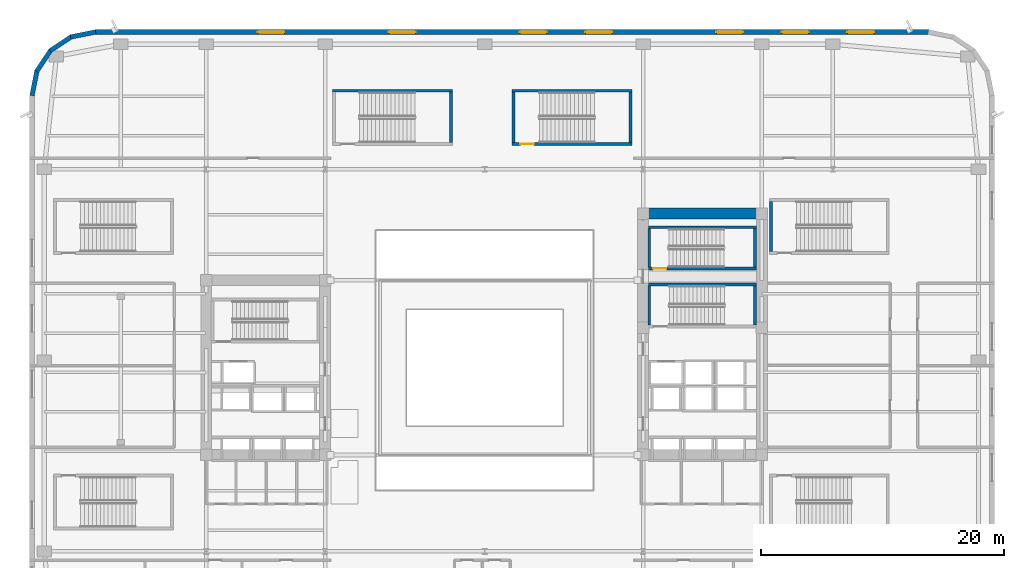
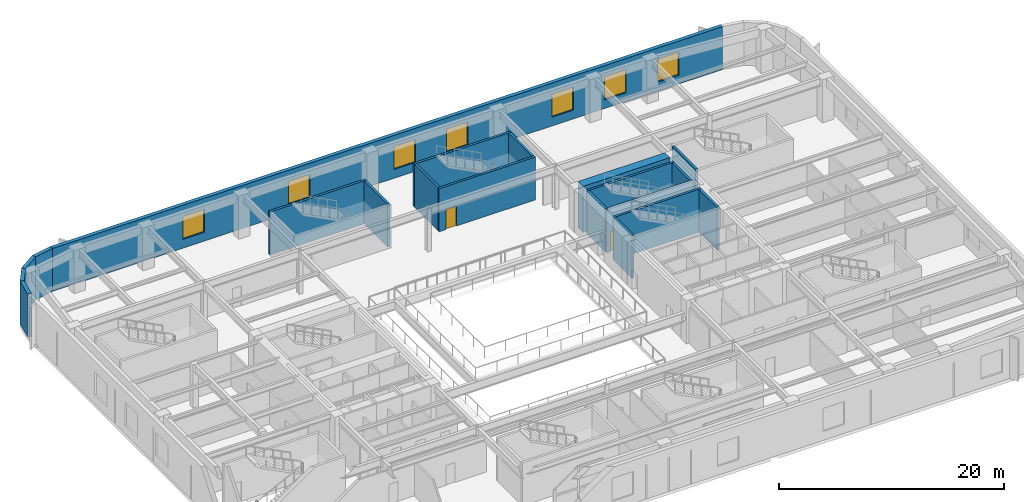
# One storey, part 9 of 22: 20 walls, 7 windows, 2 doors, 9 openings.
"""IFC4 building model written with IfcOpenShell, lengths in metres."""

from ifc_helpers import new_model, si_unit, direction, frame, frame_2d, origin, place, context, subcontext, project, spatial, rectangle, extrude, material, layer, layer_set, type_object, element, fill, save


model = new_model("IFC4")

# Units and contexts
model_context = context("Model", 3, precision=1e-05, world=origin(), true_north=direction((0.0, 1.0)))
body_context = subcontext(model_context, "Body", "Model", "MODEL_VIEW")
ifc_project = project(units=[si_unit("LENGTHUNIT", "METRE"), si_unit("AREAUNIT", "SQUARE_METRE"), si_unit("VOLUMEUNIT", "CUBIC_METRE"), si_unit("PLANEANGLEUNIT", "RADIAN"), si_unit("MASSUNIT", "GRAM", prefix="KILO")], contexts=[model_context])

# Site, building, storey
site_placement = place(None, origin())
site = spatial("IfcSite", under=ifc_project, at=site_placement, CompositionType="ELEMENT")
building_placement = place(site_placement, origin())
building = spatial("IfcBuilding", under=site, at=building_placement, Name="Kolvaren Arena Tower", CompositionType="ELEMENT")
storey_placement = place(building_placement, frame((0.0, 0.0, 13.0)))
storey = spatial("IfcBuildingStorey", under=building, at=storey_placement, Name="L02", CompositionType="ELEMENT", Elevation=13.0)

# Wall
ifc_material_1 = material(Name="Concrete 80 MPa", Category="concrete")
ifc_layer_1 = layer(ifc_material_1, 0.89990234375)
ifc_layer_set_1 = layer_set([ifc_layer_1], Name="Concrete 80 MPa")
wall_type_1 = type_object("IfcWallType", Name="CWALL-900", PredefinedType="SHEAR", material=ifc_layer_set_1)
wall_1_placement = place(storey_placement, frame((51.0, 39.35009765625, -0.35009765625), z_axis=(0.0, 0.0, 1.0), x_axis=(1.0, 0.0, 0.0)))
element("IfcWall", 1, at=wall_1_placement, inside=storey, type_object=wall_type_1, Name="Core Shear Wall EC-NORTH (L02)", PredefinedType="SHEAR", context=body_context, shape_type="SweptSolid", body=[
    extrude(rectangle(XDim=8.89990234375, YDim=0.89990234375, at=frame_2d((4.449951171875, 0.0))), origin(), (0.0, 0.0, 1.0), 5.0),
])

# Wall, openings, windows
ifc_material_2 = material(Name="Precast concrete C50/60", Category="concrete")
ifc_layer_2 = layer(ifc_material_2, 0.3798828125)
ifc_layer_set_2 = layer_set([ifc_layer_2], Name="Precast concrete C50/60")
wall_type_2 = type_object("IfcWallType", Name="EXT-ARENA", PredefinedType="SOLIDWALL", material=ifc_layer_set_2)
wall_2_placement = place(storey_placement, frame((5.39990234375, 54.31005859375, 0.0), z_axis=(0.0, 0.0, 1.0), x_axis=(1.0, 0.0, 0.0)))
wall_2 = element("IfcWall", 2, at=wall_2_placement, inside=storey, type_object=wall_type_2, Name="Exterior Precast Masonry-Frame Wall (L02)", PredefinedType="SOLIDWALL", context=body_context, shape_type="SweptSolid", body=[
    extrude(rectangle(XDim=68.7001953125, YDim=0.3798828125, at=frame_2d((34.35009765625, 0.0))), origin(), (0.0, 0.0, 1.0), 4.64990234375),
])
opening_1_placement = place(wall_2_placement, frame((13.39990234375, 0.0, 0.949951171875)))
opening_1 = element("IfcOpeningElement", 3, at=opening_1_placement, cuts=wall_2, Name="Opening W07", PredefinedType="OPENING", context=body_context, shape_type="SweptSolid", body=[
    extrude(rectangle(XDim=2.199951171875, YDim=2.5, at=frame_2d((1.10009765625, 1.25))), frame((0.0, 0.199951171875, 0.0), z_axis=(0.0, -1.0, 0.0), x_axis=(1.0, 0.0, 0.0)), (0.0, 0.0, 1.0), 0.39990234375),
])
opening_2_placement = place(wall_2_placement, frame((24.199951171875, 0.0, 0.949951171875)))
opening_2 = element("IfcOpeningElement", 4, at=opening_2_placement, cuts=wall_2, Name="Opening W07", PredefinedType="OPENING", context=body_context, shape_type="SweptSolid", body=[
    extrude(rectangle(XDim=2.199951171875, YDim=2.5, at=frame_2d((1.10009765625, 1.25))), frame((0.0, 0.199951171875, 0.0), z_axis=(0.0, -1.0, 0.0), x_axis=(1.0, 0.0, 0.0)), (0.0, 0.0, 1.0), 0.39990234375),
])
opening_3_placement = place(wall_2_placement, frame((35.0, 0.0, 0.949951171875)))
opening_3 = element("IfcOpeningElement", 5, at=opening_3_placement, cuts=wall_2, Name="Opening W07", PredefinedType="OPENING", context=body_context, shape_type="SweptSolid", body=[
    extrude(rectangle(XDim=2.199951171875, YDim=2.5, at=frame_2d((1.10009765625, 1.25))), frame((0.0, 0.199951171875, 0.0), z_axis=(0.0, -1.0, 0.0), x_axis=(1.0, 0.0, 0.0)), (0.0, 0.0, 1.0), 0.39990234375),
])
opening_4_placement = place(wall_2_placement, frame((40.39990234375, 0.0, 0.949951171875)))
opening_4 = element("IfcOpeningElement", 6, at=opening_4_placement, cuts=wall_2, Name="Opening W07", PredefinedType="OPENING", context=body_context, shape_type="SweptSolid", body=[
    extrude(rectangle(XDim=2.199951171875, YDim=2.5, at=frame_2d((1.10009765625, 1.25))), frame((0.0, 0.199951171875, 0.0), z_axis=(0.0, -1.0, 0.0), x_axis=(1.0, 0.0, 0.0)), (0.0, 0.0, 1.0), 0.39990234375),
])
opening_5_placement = place(wall_2_placement, frame((51.199951171875, 0.0, 0.949951171875)))
opening_5 = element("IfcOpeningElement", 7, at=opening_5_placement, cuts=wall_2, Name="Opening W07", PredefinedType="OPENING", context=body_context, shape_type="SweptSolid", body=[
    extrude(rectangle(XDim=2.199951171875, YDim=2.5, at=frame_2d((1.10009765625, 1.25))), frame((0.0, 0.199951171875, 0.0), z_axis=(0.0, -1.0, 0.0), x_axis=(1.0, 0.0, 0.0)), (0.0, 0.0, 1.0), 0.39990234375),
])
opening_6_placement = place(wall_2_placement, frame((56.60009765625, 0.0, 0.949951171875)))
opening_6 = element("IfcOpeningElement", 8, at=opening_6_placement, cuts=wall_2, Name="Opening W07", PredefinedType="OPENING", context=body_context, shape_type="SweptSolid", body=[
    extrude(rectangle(XDim=2.199951171875, YDim=2.5, at=frame_2d((1.10009765625, 1.25))), frame((0.0, 0.199951171875, 0.0), z_axis=(0.0, -1.0, 0.0), x_axis=(1.0, 0.0, 0.0)), (0.0, 0.0, 1.0), 0.39990234375),
])
opening_7_placement = place(wall_2_placement, frame((62.0, 0.0, 0.949951171875)))
opening_7 = element("IfcOpeningElement", 9, at=opening_7_placement, cuts=wall_2, Name="Opening W07", PredefinedType="OPENING", context=body_context, shape_type="SweptSolid", body=[
    extrude(rectangle(XDim=2.199951171875, YDim=2.5, at=frame_2d((1.10009765625, 1.25))), frame((0.0, 0.199951171875, 0.0), z_axis=(0.0, -1.0, 0.0), x_axis=(1.0, 0.0, 0.0)), (0.0, 0.0, 1.0), 0.39990234375),
])
ifc_material_3 = material(Name="Triple-glazed arena concourse window", Category="glass")
window_type = type_object("IfcWindowType", Name="WIN-POD-A", PartitioningType="DOUBLE_PANEL_VERTICAL", PredefinedType="WINDOW", material=ifc_material_3)
window_1_placement = place(opening_1_placement, origin())
window_1 = element("IfcWindow", 10, at=window_1_placement, inside=storey, type_object=window_type, Name="Punched Precast-Pier Window (L02)", OverallHeight=2.5, OverallWidth=2.199951171875, PartitioningType="DOUBLE_PANEL_VERTICAL", PredefinedType="WINDOW", context=body_context, shape_type="SweptSolid", body=[
    extrude(rectangle(XDim=2.199951171875, YDim=2.5, at=frame_2d((1.10009765625, 1.25))), frame((0.0, 0.030029296875, 0.0), z_axis=(0.0, -1.0, 0.0), x_axis=(1.0, 0.0, 0.0)), (0.0, 0.0, 1.0), 0.06005859375),
])
fill(opening_1, window_1)
window_2_placement = place(opening_2_placement, origin())
window_2 = element("IfcWindow", 11, at=window_2_placement, inside=storey, type_object=window_type, Name="Punched Precast-Pier Window (L02)", OverallHeight=2.5, OverallWidth=2.199951171875, PartitioningType="DOUBLE_PANEL_VERTICAL", PredefinedType="WINDOW", context=body_context, shape_type="SweptSolid", body=[
    extrude(rectangle(XDim=2.199951171875, YDim=2.5, at=frame_2d((1.10009765625, 1.25))), frame((0.0, 0.030029296875, 0.0), z_axis=(0.0, -1.0, 0.0), x_axis=(1.0, 0.0, 0.0)), (0.0, 0.0, 1.0), 0.06005859375),
])
fill(opening_2, window_2)
window_3_placement = place(opening_3_placement, origin())
window_3 = element("IfcWindow", 12, at=window_3_placement, inside=storey, type_object=window_type, Name="Punched Precast-Pier Window (L02)", OverallHeight=2.5, OverallWidth=2.199951171875, PartitioningType="DOUBLE_PANEL_VERTICAL", PredefinedType="WINDOW", context=body_context, shape_type="SweptSolid", body=[
    extrude(rectangle(XDim=2.199951171875, YDim=2.5, at=frame_2d((1.10009765625, 1.25))), frame((0.0, 0.030029296875, 0.0), z_axis=(0.0, -1.0, 0.0), x_axis=(1.0, 0.0, 0.0)), (0.0, 0.0, 1.0), 0.06005859375),
])
fill(opening_3, window_3)
window_4_placement = place(opening_4_placement, origin())
window_4 = element("IfcWindow", 13, at=window_4_placement, inside=storey, type_object=window_type, Name="Punched Precast-Pier Window (L02)", OverallHeight=2.5, OverallWidth=2.199951171875, PartitioningType="DOUBLE_PANEL_VERTICAL", PredefinedType="WINDOW", context=body_context, shape_type="SweptSolid", body=[
    extrude(rectangle(XDim=2.199951171875, YDim=2.5, at=frame_2d((1.10009765625, 1.25))), frame((0.0, 0.030029296875, 0.0), z_axis=(0.0, -1.0, 0.0), x_axis=(1.0, 0.0, 0.0)), (0.0, 0.0, 1.0), 0.06005859375),
])
fill(opening_4, window_4)
window_5_placement = place(opening_5_placement, origin())
window_5 = element("IfcWindow", 14, at=window_5_placement, inside=storey, type_object=window_type, Name="Punched Precast-Pier Window (L02)", OverallHeight=2.5, OverallWidth=2.199951171875, PartitioningType="DOUBLE_PANEL_VERTICAL", PredefinedType="WINDOW", context=body_context, shape_type="SweptSolid", body=[
    extrude(rectangle(XDim=2.199951171875, YDim=2.5, at=frame_2d((1.10009765625, 1.25))), frame((0.0, 0.030029296875, 0.0), z_axis=(0.0, -1.0, 0.0), x_axis=(1.0, 0.0, 0.0)), (0.0, 0.0, 1.0), 0.06005859375),
])
fill(opening_5, window_5)
window_6_placement = place(opening_6_placement, origin())
window_6 = element("IfcWindow", 15, at=window_6_placement, inside=storey, type_object=window_type, Name="Punched Precast-Pier Window (L02)", OverallHeight=2.5, OverallWidth=2.199951171875, PartitioningType="DOUBLE_PANEL_VERTICAL", PredefinedType="WINDOW", context=body_context, shape_type="SweptSolid", body=[
    extrude(rectangle(XDim=2.199951171875, YDim=2.5, at=frame_2d((1.10009765625, 1.25))), frame((0.0, 0.030029296875, 0.0), z_axis=(0.0, -1.0, 0.0), x_axis=(1.0, 0.0, 0.0)), (0.0, 0.0, 1.0), 0.06005859375),
])
fill(opening_6, window_6)
window_7_placement = place(opening_7_placement, origin())
window_7 = element("IfcWindow", 16, at=window_7_placement, inside=storey, type_object=window_type, Name="Punched Precast-Pier Window (L02)", OverallHeight=2.5, OverallWidth=2.199951171875, PartitioningType="DOUBLE_PANEL_VERTICAL", PredefinedType="WINDOW", context=body_context, shape_type="SweptSolid", body=[
    extrude(rectangle(XDim=2.199951171875, YDim=2.5, at=frame_2d((1.10009765625, 1.25))), frame((0.0, 0.030029296875, 0.0), z_axis=(0.0, -1.0, 0.0), x_axis=(1.0, 0.0, 0.0)), (0.0, 0.0, 1.0), 0.06005859375),
])
fill(opening_7, window_7)

# Walls
for number, where, z_axis, x_axis, name in (
    (17, (3.37060546875, 53.902587890625, 0.0), (0.0, 0.0, 1.0), (0.9807762837, 0.195135546048, 0.0), "Exterior Precast Masonry-Frame Wall (L02)"),
    (18, (1.687255859375, 52.760498046875, 0.0), (0.0, 0.0, 1.0), (0.831515102434, 0.555502146192, 0.0), "Exterior Precast Masonry-Frame Wall (L02)"),
    (19, (0.569091796875, 51.060791015625, 0.0), (0.0, 0.0, 1.0), (0.555502146192, 0.831515102434, 0.0), "Exterior Precast Masonry-Frame Wall (L02)"),
    (20, (0.186279296875, 49.06298828125, 0.0), (0.0, 0.0, 1.0), (0.195135546048, 0.9807762837, 0.0), "Exterior Precast Masonry-Frame Wall (L02)"),
):
    element("IfcWall", number, at=place(storey_placement, frame(where, z_axis=z_axis, x_axis=x_axis)), inside=storey, type_object=wall_type_2, Name=name, PredefinedType="SOLIDWALL", context=body_context, shape_type="SweptSolid", body=[
        extrude(rectangle(XDim=2.10693359375, YDim=0.3798828125, at=frame_2d((1.053466796875, 0.0))), origin(), (0.0, 0.0, 1.0), 4.64990234375),
    ])
ifc_material_4 = material(Name="Concrete 45 MPa", Category="concrete")
ifc_layer_3 = layer(ifc_material_4, 0.25)
ifc_layer_set_3 = layer_set([ifc_layer_3], Name="Concrete 45 MPa")
wall_type_3 = type_object("IfcWallType", Name="SHAFT-250", PredefinedType="SOLIDWALL", material=ifc_layer_set_3)
wall_3_placement = place(storey_placement, frame((24.9599609375, 49.469970703125, 0.0), z_axis=(0.0, 0.0, 1.0), x_axis=(1.0, 0.0, 0.0)))
element("IfcWall", 21, at=wall_3_placement, inside=storey, type_object=wall_type_3, Name="Stair ST-A6 Rear Shaft Wall (L02)", PredefinedType="SOLIDWALL", context=body_context, shape_type="SweptSolid", body=[
    extrude(rectangle(XDim=9.880126953125, YDim=0.239990234375, at=frame_2d((4.93994140625, 0.0))), origin(), (0.0, 0.0, 1.0), 4.64990234375),
])
wall_4_placement = place(storey_placement, frame((34.719970703125, 45.199951171875, 0.0), z_axis=(0.0, 0.0, 1.0), x_axis=(0.0, 1.0, 0.0)))
element("IfcWall", 22, at=wall_4_placement, inside=storey, type_object=wall_type_3, Name="Stair ST-A6 East Shaft Wall (L02)", PredefinedType="SOLIDWALL", context=body_context, shape_type="SweptSolid", body=[
    extrude(rectangle(XDim=4.150146484375, YDim=0.239990234375, at=frame_2d((2.0751953125, 0.0))), origin(), (0.0, 0.0, 1.0), 4.64990234375),
])

# Wall, opening, door
wall_5_placement = place(storey_placement, frame((49.639892578125, 45.080078125, 0.0), z_axis=(0.0, 0.0, 1.0), x_axis=(-1.0, 0.0, 0.0)))
wall_5 = element("IfcWall", 23, at=wall_5_placement, inside=storey, type_object=wall_type_3, Name="Stair ST-A7 Rated Enclosure Wall (L02)", PredefinedType="SOLIDWALL", context=body_context, shape_type="SweptSolid", body=[
    extrude(rectangle(XDim=9.8798828125, YDim=0.239990234375, at=frame_2d((4.93994140625, 0.0))), origin(), (0.0, 0.0, 1.0), 4.64990234375),
])
opening_8_placement = place(wall_5_placement, frame((8.090087890625, 0.0, 0.0)))
opening_8 = element("IfcOpeningElement", 24, at=opening_8_placement, cuts=wall_5, Name="Opening D03", PredefinedType="OPENING", context=body_context, shape_type="SweptSolid", body=[
    extrude(rectangle(XDim=1.10009765625, YDim=2.14990234375, at=frame_2d((0.550048828125, 1.074951171875))), frame((0.0, 0.1298828125, 0.0), z_axis=(0.0, -1.0, 0.0), x_axis=(1.0, 0.0, 0.0)), (0.0, 0.0, 1.0), 0.260009765625),
])
ifc_material_5 = material(Name="Fire-rated steel exit stair door", Category="steel")
door_type = type_object("IfcDoorType", Name="DOOR-ST-110", OperationType="NOTDEFINED", PredefinedType="DOOR", material=ifc_material_5)
door_1_placement = place(opening_8_placement, origin())
door_1 = element("IfcDoor", 25, at=door_1_placement, inside=storey, type_object=door_type, Name="Exit Stair ST-A7 Fire Door (L02)", OperationType="SINGLE_SWING_LEFT", OverallHeight=2.14990234375, OverallWidth=1.10009765625, PredefinedType="DOOR", context=body_context, shape_type="SweptSolid", body=[
    extrude(rectangle(XDim=1.10009765625, YDim=2.14990234375, at=frame_2d((0.550048828125, 1.074951171875))), frame((0.0, 0.02490234375, 0.0), z_axis=(0.0, -1.0, 0.0), x_axis=(1.0, 0.0, 0.0)), (0.0, 0.0, 1.0), 0.050048828125),
])
fill(opening_8, door_1)

# Walls
wall_6_placement = place(storey_placement, frame((39.760009765625, 49.469970703125, 0.0), z_axis=(0.0, 0.0, 1.0), x_axis=(1.0, 0.0, 0.0)))
element("IfcWall", 26, at=wall_6_placement, inside=storey, type_object=wall_type_3, Name="Stair ST-A7 Rear Shaft Wall (L02)", PredefinedType="SOLIDWALL", context=body_context, shape_type="SweptSolid", body=[
    extrude(rectangle(XDim=9.8798828125, YDim=0.239990234375, at=frame_2d((4.93994140625, 0.0))), origin(), (0.0, 0.0, 1.0), 4.64990234375),
])
for number, where, z_axis, x_axis, name in (
    (27, (39.8798828125, 45.199951171875, 0.0), (0.0, 0.0, 1.0), (0.0, 1.0, 0.0), "Stair ST-A7 West Shaft Wall (L02)"),
    (28, (49.52001953125, 45.199951171875, 0.0), (0.0, 0.0, 1.0), (0.0, 1.0, 0.0), "Stair ST-A7 East Shaft Wall (L02)"),
    (29, (61.080078125, 36.199951171875, 0.0), (0.0, 0.0, 1.0), (0.0, 1.0, 0.0), "Stair ST-A8 West Shaft Wall (L02)"),
):
    element("IfcWall", number, at=place(storey_placement, frame(where, z_axis=z_axis, x_axis=x_axis)), inside=storey, type_object=wall_type_3, Name=name, PredefinedType="SOLIDWALL", context=body_context, shape_type="SweptSolid", body=[
        extrude(rectangle(XDim=4.150146484375, YDim=0.239990234375, at=frame_2d((2.0751953125, 0.0))), origin(), (0.0, 0.0, 1.0), 4.64990234375),
    ])
wall_7_placement = place(storey_placement, frame((51.0, 33.5, 0.0), z_axis=(0.0, 0.0, 1.0), x_axis=(1.0, 0.0, 0.0)))
element("IfcWall", 30, at=wall_7_placement, inside=storey, type_object=wall_type_3, Name="Core Shaft Wall (L02)", PredefinedType="SOLIDWALL", context=body_context, shape_type="SweptSolid", body=[
    extrude(rectangle(XDim=8.89990234375, YDim=0.239990234375, at=frame_2d((4.449951171875, 0.0))), origin(), (0.0, 0.0, 1.0), 4.64990234375),
])
for number, where, z_axis, x_axis, name in (
    (31, (51.06005859375, 30.14990234375, 0.0), (0.0, 0.0, 1.0), (0.0, 1.0, 0.0), "Core Shaft Wall (L02)"),
    (32, (59.780029296875, 30.14990234375, 0.0), (0.0, 0.0, 1.0), (0.0, 1.0, 0.0), "Core Shaft Wall (L02)"),
):
    element("IfcWall", number, at=place(storey_placement, frame(where, z_axis=z_axis, x_axis=x_axis)), inside=storey, type_object=wall_type_3, Name=name, PredefinedType="SOLIDWALL", context=body_context, shape_type="SweptSolid", body=[
        extrude(rectangle(XDim=3.22998046875, YDim=0.239990234375, at=frame_2d((1.614990234375, 0.0))), origin(), (0.0, 0.0, 1.0), 4.64990234375),
    ])

# Wall, opening, door
wall_8_placement = place(storey_placement, frame((59.89990234375, 34.830078125, 0.0), z_axis=(0.0, 0.0, 1.0), x_axis=(-1.0, 0.0, 0.0)))
wall_8 = element("IfcWall", 33, at=wall_8_placement, inside=storey, type_object=wall_type_3, Name="Core Shaft Wall (L02)", PredefinedType="SOLIDWALL", context=body_context, shape_type="SweptSolid", body=[
    extrude(rectangle(XDim=8.89990234375, YDim=0.239990234375, at=frame_2d((4.449951171875, 0.0))), origin(), (0.0, 0.0, 1.0), 4.64990234375),
])
opening_9_placement = place(wall_8_placement, frame((7.419921875, 0.0, 0.0)))
opening_9 = element("IfcOpeningElement", 34, at=opening_9_placement, cuts=wall_8, Name="Opening D03", PredefinedType="OPENING", context=body_context, shape_type="SweptSolid", body=[
    extrude(rectangle(XDim=1.10009765625, YDim=2.14990234375, at=frame_2d((0.550048828125, 1.074951171875))), frame((0.0, 0.1298828125, 0.0), z_axis=(0.0, -1.0, 0.0), x_axis=(1.0, 0.0, 0.0)), (0.0, 0.0, 1.0), 0.260009765625),
])
door_2_placement = place(opening_9_placement, origin())
door_2 = element("IfcDoor", 35, at=door_2_placement, inside=storey, type_object=door_type, Name="Stair ST-E2 Fire Door (L02)", OperationType="SINGLE_SWING_LEFT", OverallHeight=2.14990234375, OverallWidth=1.10009765625, PredefinedType="DOOR", context=body_context, shape_type="SweptSolid", body=[
    extrude(rectangle(XDim=1.10009765625, YDim=2.14990234375, at=frame_2d((0.550048828125, 1.074951171875))), frame((0.0, 0.02490234375, 0.0), z_axis=(0.0, -1.0, 0.0), x_axis=(1.0, 0.0, 0.0)), (0.0, 0.0, 1.0), 0.050048828125),
])
fill(opening_9, door_2)

# Walls
wall_9_placement = place(storey_placement, frame((51.0, 38.219970703125, 0.0), z_axis=(0.0, 0.0, 1.0), x_axis=(1.0, 0.0, 0.0)))
element("IfcWall", 36, at=wall_9_placement, inside=storey, type_object=wall_type_3, Name="Core Shaft Wall (L02)", PredefinedType="SOLIDWALL", context=body_context, shape_type="SweptSolid", body=[
    extrude(rectangle(XDim=8.89990234375, YDim=0.239990234375, at=frame_2d((4.449951171875, 0.0))), origin(), (0.0, 0.0, 1.0), 4.64990234375),
])
for number, where, z_axis, x_axis, name in (
    (37, (51.06005859375, 34.949951171875, 0.0), (0.0, 0.0, 1.0), (0.0, 1.0, 0.0), "Core Shaft Wall (L02)"),
    (38, (59.780029296875, 34.949951171875, 0.0), (0.0, 0.0, 1.0), (0.0, 1.0, 0.0), "Core Shaft Wall (L02)"),
):
    element("IfcWall", number, at=place(storey_placement, frame(where, z_axis=z_axis, x_axis=x_axis)), inside=storey, type_object=wall_type_3, Name=name, PredefinedType="SOLIDWALL", context=body_context, shape_type="SweptSolid", body=[
        extrude(rectangle(XDim=3.150146484375, YDim=0.239990234375, at=frame_2d((1.5751953125, 0.0))), origin(), (0.0, 0.0, 1.0), 4.64990234375),
    ])

save(model, "model.ifc")
